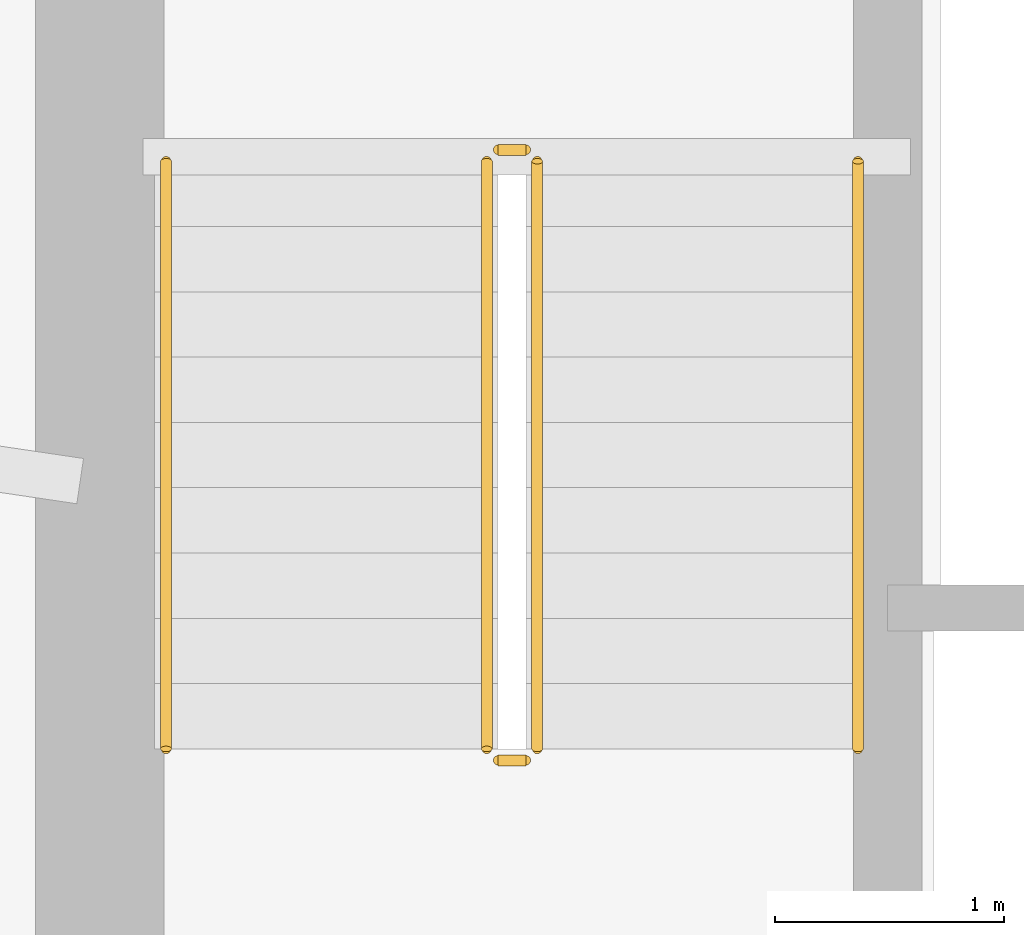
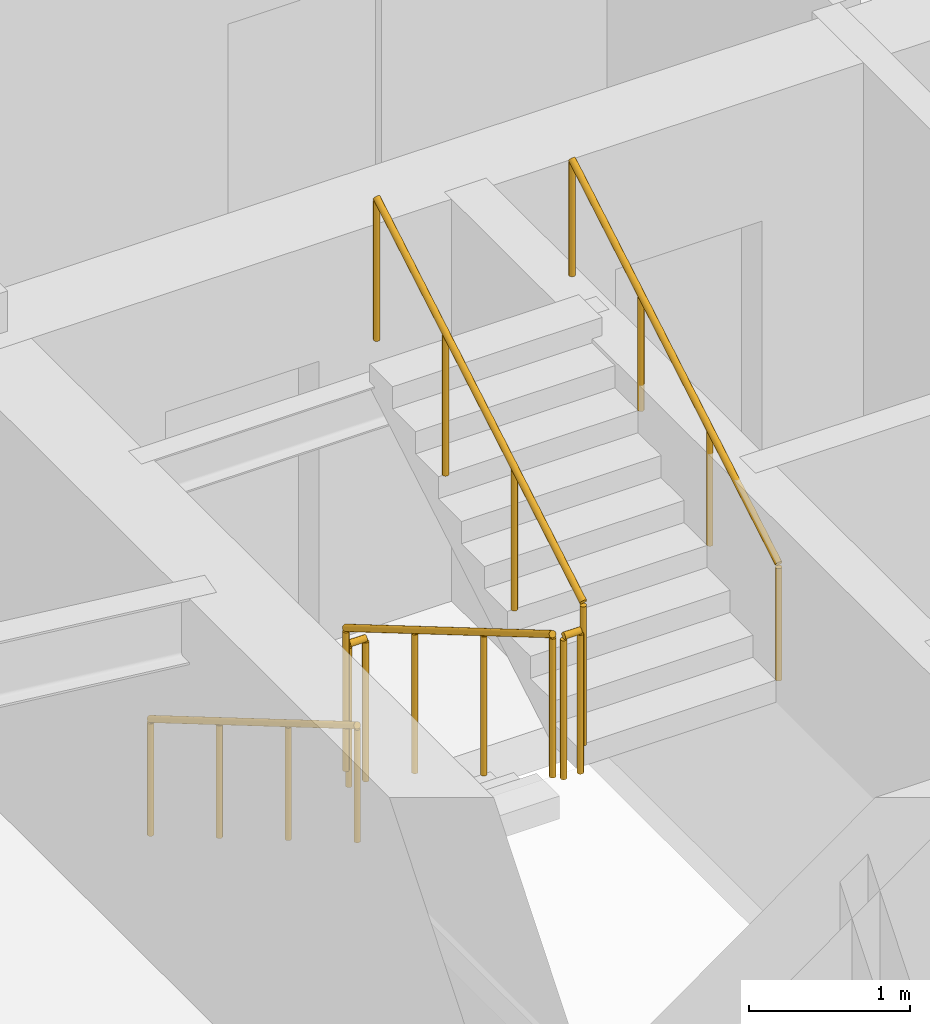
# One storey, part 17 of 19: 6 railings.
"""IFC4 building model written with IfcOpenShell, lengths in metres."""

from ifc_helpers import new_model, si_unit, direction, frame, origin, origin_2d, place, context, subcontext, project, spatial, circle, extrude, material, type_object, element, save


model = new_model("IFC4")

# Units and contexts
model_context = context("Model", 3, precision=1e-05, world=origin(), true_north=direction((0.0, 1.0)))
body_context = subcontext(model_context, "Body", "Model", "MODEL_VIEW")
ifc_project = project(units=[si_unit("LENGTHUNIT", "METRE"), si_unit("AREAUNIT", "SQUARE_METRE"), si_unit("VOLUMEUNIT", "CUBIC_METRE"), si_unit("PLANEANGLEUNIT", "RADIAN"), si_unit("MASSUNIT", "GRAM", prefix="KILO")], contexts=[model_context])

# Site, building, storey
site_placement = place(None, origin())
site = spatial("IfcSite", under=ifc_project, at=site_placement, CompositionType="ELEMENT")
building_placement = place(site_placement, origin())
building = spatial("IfcBuilding", under=site, at=building_placement, Name="Qobustan Lattice House", CompositionType="ELEMENT")
storey_placement = place(building_placement, frame((0.0, 0.0, 82.35009765625)))
storey = spatial("IfcBuildingStorey", under=building, at=storey_placement, Name="L22", CompositionType="ELEMENT", Elevation=82.35009765625)

# Railings
ifc_material_1 = material(Name="Brushed stainless steel handrail", Category="steel")
railing_type_1 = type_object("IfcRailingType", Name="RAL-HR-920", PredefinedType="HANDRAIL", material=ifc_material_1)
railing_1_placement = place(storey_placement, frame((-18.199951171875, 3.5, 0.16748046875)))
element("IfcRailing", 1, at=railing_1_placement, inside=storey, type_object=railing_type_1, Name="L22 ST-W1 stair handrail 1", PredefinedType="HANDRAIL", context=body_context, shape_type="SweptSolid", body=[
    extrude(circle(Radius=0.02392578125, at=origin_2d()), frame((0.0, 0.0, 0.8759765625), z_axis=(0.0, -0.862149314443, 0.506654280161), x_axis=(1.0, 0.0, 0.0)), (0.0, 0.0, 1.0), 2.97509765625),
    extrude(circle(Radius=0.02099609375, at=origin_2d()), origin(), (0.0, 0.0, 1.0), 0.851806640625),
    extrude(circle(Radius=0.02099609375, at=origin_2d()), frame((0.0, -0.85498046875, 0.50244140625)), (0.0, 0.0, 1.0), 0.851806640625),
    extrude(circle(Radius=0.02099609375, at=origin_2d()), frame((0.0, -1.7099609375, 1.0048828125)), (0.0, 0.0, 1.0), 0.851806640625),
    extrude(circle(Radius=0.02099609375, at=origin_2d()), frame((0.0, -2.56494140625, 1.50732421875)), (0.0, 0.0, 1.0), 0.851806640625),
])
railing_2_placement = place(storey_placement, frame((-15.179931640625, 0.93505859375, 1.84228515625)))
element("IfcRailing", 2, at=railing_2_placement, inside=storey, type_object=railing_type_1, Name="L22 ST-W1 stair handrail 2", PredefinedType="HANDRAIL", context=body_context, shape_type="SweptSolid", body=[
    extrude(circle(Radius=0.02392578125, at=origin_2d()), frame((0.0, 0.0, 0.8759765625), z_axis=(0.0, 0.862113467892, 0.50671527358), x_axis=(-1.0, 0.0, 0.0)), (0.0, 0.0, 1.0), 2.97509765625),
    extrude(circle(Radius=0.02099609375, at=origin_2d()), origin(), (0.0, 0.0, 1.0), 0.851806640625),
    extrude(circle(Radius=0.02099609375, at=origin_2d()), frame((0.0, 0.85498046875, 0.50244140625)), (0.0, 0.0, 1.0), 0.851806640625),
    extrude(circle(Radius=0.02099609375, at=origin_2d()), frame((0.0, 1.7099609375, 1.005126953125)), (0.0, 0.0, 1.0), 0.851806640625),
    extrude(circle(Radius=0.02099609375, at=origin_2d()), frame((0.0, 2.56494140625, 1.507568359375)), (0.0, 0.0, 1.0), 0.851806640625),
])
ifc_material_2 = material(Name="Painted galvanized steel guardrail", Category="steel")
railing_type_2 = type_object("IfcRailingType", Name="RAL-STG-1150", PredefinedType="GUARDRAIL", material=ifc_material_2)
railing_3_placement = place(storey_placement, frame((-16.800048828125, 3.5, 0.16748046875)))
element("IfcRailing", 3, at=railing_3_placement, inside=storey, type_object=railing_type_2, Name="L22 ST-W1 stair guard 1", PredefinedType="GUARDRAIL", context=body_context, shape_type="SweptSolid", body=[
    extrude(circle(Radius=0.02392578125, at=origin_2d()), frame((0.0, 0.0, 1.076171875), z_axis=(0.0, -0.862149314443, 0.506654280161), x_axis=(1.0, 0.0, 0.0)), (0.0, 0.0, 1.0), 2.97509765625),
    extrude(circle(Radius=0.02099609375, at=origin_2d()), origin(), (0.0, 0.0, 1.0), 1.052001953125),
    extrude(circle(Radius=0.02099609375, at=origin_2d()), frame((0.0, -0.85498046875, 0.50244140625)), (0.0, 0.0, 1.0), 1.052001953125),
    extrude(circle(Radius=0.02099609375, at=origin_2d()), frame((0.0, -1.7099609375, 1.0048828125)), (0.0, 0.0, 1.0), 1.052001953125),
    extrude(circle(Radius=0.02099609375, at=origin_2d()), frame((0.0, -2.56494140625, 1.50732421875)), (0.0, 0.0, 1.0), 1.052001953125),
])
railing_4_placement = place(storey_placement, frame((-16.75, 0.885009765625, 1.6748046875)))
element("IfcRailing", 4, at=railing_4_placement, inside=storey, type_object=railing_type_2, Name="L22 ST-W1 stair guard 2", PredefinedType="GUARDRAIL", context=body_context, shape_type="SweptSolid", body=[
    extrude(circle(Radius=0.02392578125, at=origin_2d()), frame((0.0, 0.0, 1.076171875), z_axis=(1.0, 0.0, 0.0), x_axis=(0.0, 1.0, 0.0)), (0.0, 0.0, 1.0), 0.1201171875),
    extrude(circle(Radius=0.02099609375, at=origin_2d()), origin(), (0.0, 0.0, 1.0), 1.052001953125),
    extrude(circle(Radius=0.02099609375, at=origin_2d()), frame((0.1201171875, 0.0, 0.0)), (0.0, 0.0, 1.0), 1.052001953125),
])
railing_5_placement = place(storey_placement, frame((-16.580078125, 0.93505859375, 1.84228515625)))
element("IfcRailing", 5, at=railing_5_placement, inside=storey, type_object=railing_type_2, Name="L22 ST-W1 stair guard 3", PredefinedType="GUARDRAIL", context=body_context, shape_type="SweptSolid", body=[
    extrude(circle(Radius=0.02392578125, at=origin_2d()), frame((0.0, 0.0, 1.076171875), z_axis=(0.0, 0.862113467892, 0.50671527358), x_axis=(-1.0, 0.0, 0.0)), (0.0, 0.0, 1.0), 2.97509765625),
    extrude(circle(Radius=0.02099609375, at=origin_2d()), origin(), (0.0, 0.0, 1.0), 1.052001953125),
    extrude(circle(Radius=0.02099609375, at=origin_2d()), frame((0.0, 0.85498046875, 0.50244140625)), (0.0, 0.0, 1.0), 1.052001953125),
    extrude(circle(Radius=0.02099609375, at=origin_2d()), frame((0.0, 1.7099609375, 1.005126953125)), (0.0, 0.0, 1.0), 1.052001953125),
    extrude(circle(Radius=0.02099609375, at=origin_2d()), frame((0.0, 2.56494140625, 1.507568359375)), (0.0, 0.0, 1.0), 1.052001953125),
])
railing_6_placement = place(storey_placement, frame((-16.75, 3.550048828125, 0.0)))
element("IfcRailing", 6, at=railing_6_placement, inside=storey, type_object=railing_type_2, Name="L22 ST-W1 stair guard 4", PredefinedType="GUARDRAIL", context=body_context, shape_type="SweptSolid", body=[
    extrude(circle(Radius=0.02392578125, at=origin_2d()), frame((0.0, 0.0, 1.076171875), z_axis=(1.0, 0.0, 0.0), x_axis=(0.0, 1.0, 0.0)), (0.0, 0.0, 1.0), 0.1201171875),
    extrude(circle(Radius=0.02099609375, at=origin_2d()), origin(), (0.0, 0.0, 1.0), 1.052001953125),
    extrude(circle(Radius=0.02099609375, at=origin_2d()), frame((0.1201171875, 0.0, 0.0)), (0.0, 0.0, 1.0), 1.052001953125),
])

save(model, "model.ifc")
